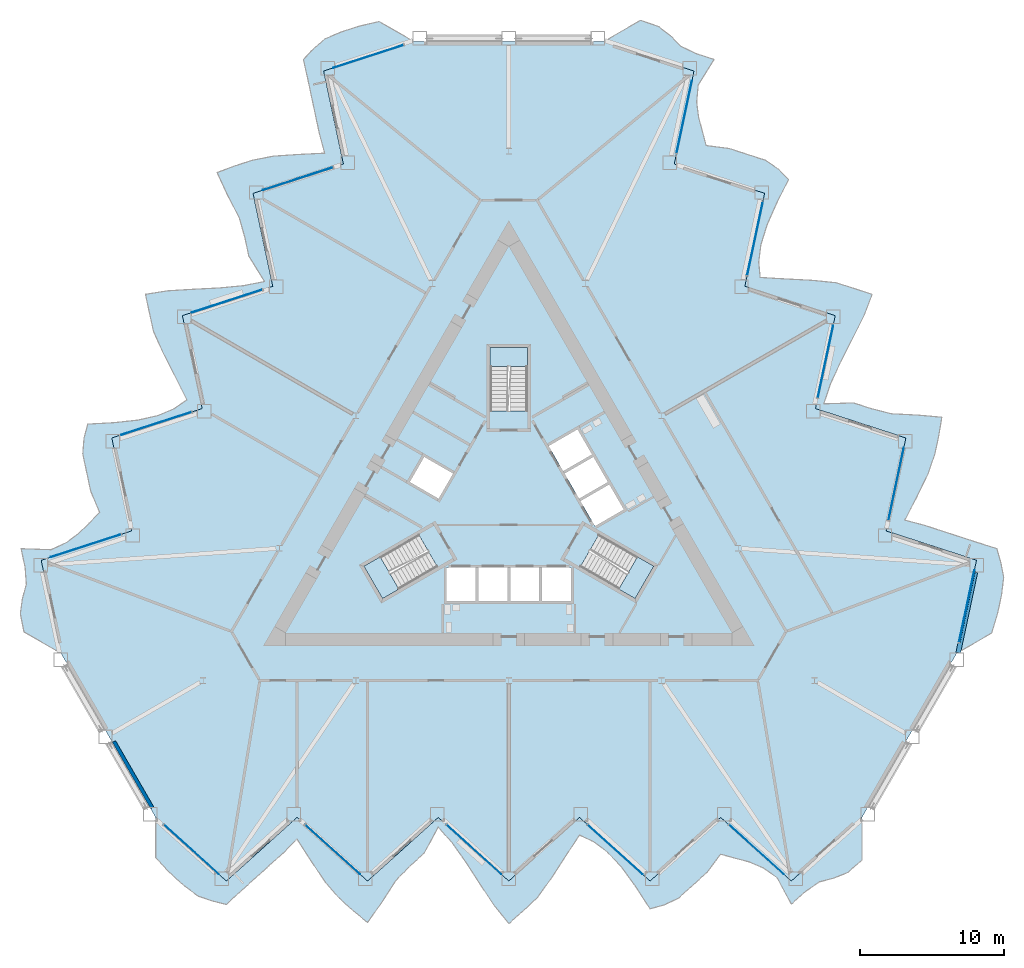
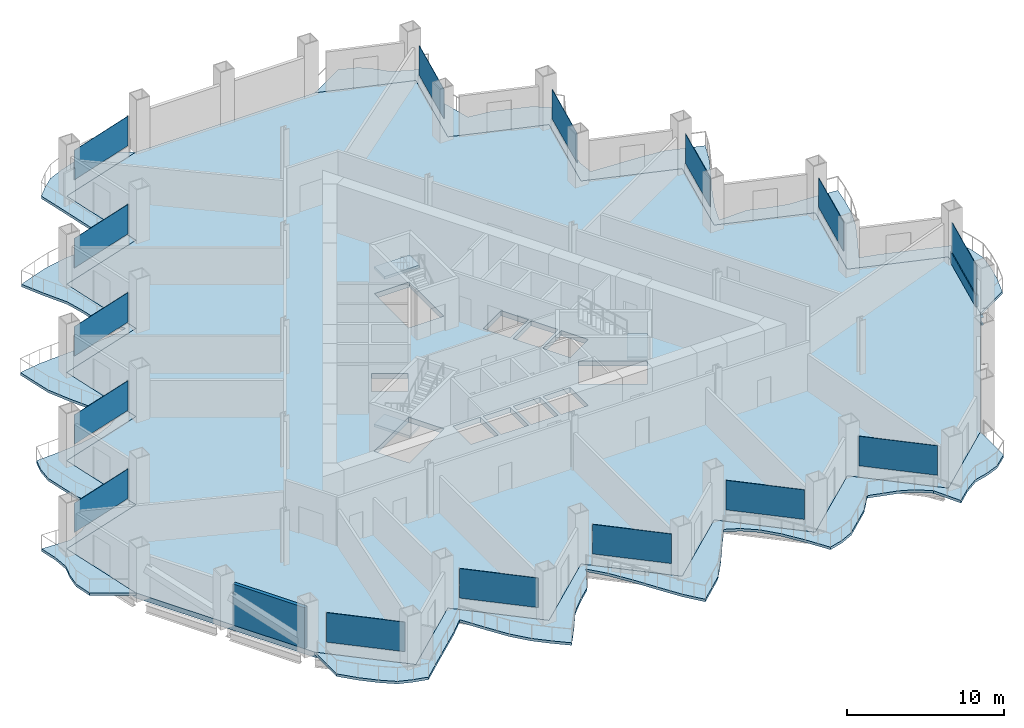
# One storey, part 8 of 20: 15 plates, 7 slabs, 1 beam, 1 member, 1 wall, 18 elements without a shape of their own.
"""IFC4 building model written with IfcOpenShell, lengths in metres."""

from ifc_helpers import new_model, si_unit, direction, frame, frame_2d, origin, origin_2d, place, context, subcontext, project, spatial, polyline, rectangle, i_section, outline, extrude, material, layer, layer_set, material_profile, profile_set, type_object, element, aggregate, save


model = new_model("IFC4")

# Units and contexts
model_context = context("Model", 3, precision=1e-05, world=origin(), true_north=direction((0.0, 1.0)))
body_context = subcontext(model_context, "Body", "Model", "MODEL_VIEW")
ifc_project = project(units=[si_unit("LENGTHUNIT", "METRE"), si_unit("AREAUNIT", "SQUARE_METRE"), si_unit("VOLUMEUNIT", "CUBIC_METRE"), si_unit("PLANEANGLEUNIT", "RADIAN"), si_unit("MASSUNIT", "GRAM", prefix="KILO")], contexts=[model_context])

# Site, building, storey
site_placement = place(None, origin())
site = spatial("IfcSite", under=ifc_project, at=site_placement, CompositionType="ELEMENT")
building_placement = place(site_placement, origin())
building = spatial("IfcBuilding", under=site, at=building_placement, Name="Cormorant Prow Tower", CompositionType="ELEMENT")
storey_placement = place(building_placement, frame((0.0, 0.0, 55.199951171875)))
storey = spatial("IfcBuildingStorey", under=building, at=storey_placement, Name="L11", CompositionType="ELEMENT", Elevation=55.199951171875)

# Curtain wall, member
ifc_material_1 = material(Name="Aluminium 6063-T6", Category="aluminium")
ifc_layer_1 = layer(ifc_material_1, 0.199951171875)
ifc_layer_set_1 = layer_set([ifc_layer_1], Name="Aluminium 6063-T6")
curtain_wall_type = type_object("IfcCurtainWallType", Name="Office unitised curtain wall 200", PredefinedType="NOTDEFINED", material=ifc_layer_set_1)
curtain_wall_1_placement = place(storey_placement, origin())
curtain_wall_1 = element("IfcCurtainWall", 1, at=curtain_wall_1_placement, inside=storey, type_object=curtain_wall_type, Name="Office curtain wall ENE00", PredefinedType="NOTDEFINED")
ifc_material_2 = material(Name="Terracotta", Category="masonry")
ifc_material_profile_1 = material_profile(ifc_material_2, rectangle(XDim=0.159912109375, YDim=0.89990234375, at=origin_2d()), Name="Office terracotta spandrel rail 160x900")
ifc_profile_set_1 = profile_set([ifc_material_profile_1], Name="Terracotta")
member_type = type_object("IfcMemberType", Name="Office terracotta spandrel rail 160x900", PredefinedType="USERDEFINED", material=ifc_profile_set_1)
member_placement = place(storey_placement, frame((31.15869140625, -9.575439453125, 0.449951171875), z_axis=(0.20787817929, 0.978154723229, 0.0), x_axis=(-0.978154723229, 0.20787817929, 0.0)))
member = element("IfcMember", 2, at=member_placement, type_object=member_type, Name="Office spandrel rail ENE00", ObjectType="TRANSOM", PredefinedType="USERDEFINED", context=body_context, shape_type="SweptSolid", body=[
    extrude(rectangle(XDim=0.159912109375, YDim=0.89990234375, at=origin_2d()), origin(), (0.0, 0.0, 1.0), 5.111083984375),
])

# Beam
ifc_material_3 = material(Name="Structural steel ASTM A992 Gr 50", Category="steel")
ifc_material_profile_2 = material_profile(ifc_material_3, i_section(OverallWidth=0.32373046875, OverallDepth=0.611083984375, WebThickness=0.0126953125, FlangeThickness=0.01904296875, at=origin_2d()), Name="W24x104")
ifc_profile_set_2 = profile_set([ifc_material_profile_2], Name="Structural steel ASTM A992 Gr 50")
beam_type = type_object("IfcBeamType", Name="Spandrel beam W24x104", PredefinedType="SPANDREL", material=ifc_profile_set_2)
beam_placement = place(storey_placement, frame((31.10400390625, -10.28466796875, -0.70556640625), z_axis=(0.207900376723, 0.97815000555, 0.0), x_axis=(-0.97815000555, 0.207900376723, 0.0)))
element("IfcBeam", 3, at=beam_placement, inside=storey, type_object=beam_type, Name="Spandrel beam SB1 ENE00-ENE01 L11", PredefinedType="SPANDREL", context=body_context, shape_type="SweptSolid", body=[
    extrude(i_section(OverallWidth=0.32373046875, OverallDepth=0.611083984375, WebThickness=0.0126953125, FlangeThickness=0.01904296875, at=origin_2d()), origin(), (0.0, 0.0, 1.0), 5.6826171875),
])

# Slabs
ifc_material_4 = material(Name="Concrete C40/50", Category="concrete")
ifc_layer_2 = layer(ifc_material_4, 0.199951171875)
ifc_layer_set_2 = layer_set([ifc_layer_2], Name="Concrete C40/50")
slab_type_1 = type_object("IfcSlabType", Name="Balcony slab 200", PredefinedType="FLOOR", material=ifc_layer_set_2)
slab_1_placement = place(storey_placement, frame((0.0, 0.0, -0.199951171875)))
element("IfcSlab", 4, at=slab_1_placement, inside=storey, type_object=slab_type_1, Name="Balcony slab S L11", PredefinedType="FLOOR", context=body_context, shape_type="SweptSolid", body=[
    extrude(outline(polyline([(-24.43896484375, -21.68603515625), (-24.43896484375, -24.4697265625), (-23.461181640625, -25.51611328125), (-22.483642578125, -26.396240234375), (-21.506103515625, -27.12890625), (-20.528564453125, -27.464111328125), (-19.551025390625, -27.7060546875), (-18.573486328125, -26.806640625), (-17.595947265625, -25.926513671875), (-16.618408203125, -25.04638671875), (-15.640869140625, -24.166015625), (-14.663330078125, -23.178466796875), (-13.685791015625, -24.6953125), (-12.708251953125, -26.152587890625), (-11.730712890625, -27.276611328125), (-10.753173828125, -28.15673828125), (-9.775634765625, -28.958984375), (-8.798095703125, -27.563720703125), (-7.8203125, -26.04931640625), (-6.8427734375, -25.04638671875), (-5.865234375, -24.166015625), (-4.8876953125, -22.34521484375), (-3.91015625, -23.4619140625), (-2.9326171875, -24.840576171875), (-1.955078125, -26.351318359375), (-0.9775390625, -27.82958984375), (0.0, -29.036865234375), (0.9775390625, -28.15673828125), (1.955078125, -27.26123046875), (2.9326171875, -25.899658203125), (3.91015625, -24.393798828125), (4.8876953125, -22.90673828125), (5.865234375, -23.357177734375), (6.8427734375, -24.09716796875), (7.8203125, -25.1630859375), (8.798095703125, -26.506591796875), (9.775634765625, -28.006591796875), (10.753173828125, -27.740966796875), (11.730712890625, -27.276611328125), (12.708251953125, -26.396240234375), (13.685791015625, -25.51611328125), (14.663330078125, -24.23193359375), (15.640869140625, -24.499267578125), (16.618408203125, -24.758056640625), (17.595947265625, -25.170166015625), (18.573486328125, -25.858154296875), (19.551025390625, -27.68701171875), (20.528564453125, -26.806640625), (21.506103515625, -26.140869140625), (22.483642578125, -25.8876953125), (23.461181640625, -25.493408203125), (24.43896484375, -24.635986328125), (24.43896484375, -21.68603515625), (23.461181640625, -22.566162109375), (22.483642578125, -23.4462890625), (21.506103515625, -24.326416015625), (20.528564453125, -25.206787109375), (19.551025390625, -26.0869140625), (18.573486328125, -25.206787109375), (17.595947265625, -24.326416015625), (16.618408203125, -23.4462890625), (15.640869140625, -22.566162109375), (14.663330078125, -21.68603515625), (13.685791015625, -22.566162109375), (12.708251953125, -23.4462890625), (11.730712890625, -24.326416015625), (10.753173828125, -25.206787109375), (9.775634765625, -26.0869140625), (8.798095703125, -25.206787109375), (7.8203125, -24.326416015625), (6.8427734375, -23.4462890625), (5.865234375, -22.566162109375), (4.8876953125, -21.68603515625), (3.91015625, -22.566162109375), (2.9326171875, -23.4462890625), (1.955078125, -24.326416015625), (0.9775390625, -25.206787109375), (0.0, -26.0869140625), (-0.9775390625, -25.206787109375), (-1.955078125, -24.326416015625), (-2.9326171875, -23.4462890625), (-3.91015625, -22.566162109375), (-4.8876953125, -21.68603515625), (-5.865234375, -22.566162109375), (-6.8427734375, -23.4462890625), (-7.8203125, -24.326416015625), (-8.798095703125, -25.206787109375), (-9.775634765625, -26.0869140625), (-10.753173828125, -25.206787109375), (-11.730712890625, -24.326416015625), (-12.708251953125, -23.4462890625), (-13.685791015625, -22.566162109375), (-14.663330078125, -21.68603515625), (-15.640869140625, -22.566162109375), (-16.618408203125, -23.4462890625), (-17.595947265625, -24.326416015625), (-18.573486328125, -25.206787109375), (-19.551025390625, -26.0869140625), (-20.528564453125, -25.206787109375), (-21.506103515625, -24.326416015625), (-22.483642578125, -23.4462890625), (-23.461181640625, -22.566162109375), (-24.43896484375, -21.68603515625)])), origin(), (0.0, 0.0, 1.0), 0.199951171875),
])
slab_2_placement = place(storey_placement, frame((0.0, 0.0, -0.199951171875)))
element("IfcSlab", 5, at=slab_2_placement, inside=storey, type_object=slab_type_1, Name="Balcony slab ENE L11", PredefinedType="FLOOR", context=body_context, shape_type="SweptSolid", body=[
    extrude(outline(polyline([(31.0, -10.32177734375), (33.410888671875, -8.9296875), (33.828369140625, -7.56005859375), (34.101806640625, -6.2734375), (34.247314453125, -5.060546875), (34.048828125, -4.04638671875), (33.769775390625, -3.07861328125), (32.501953125, -2.681884765625), (31.2509765625, -2.275390625), (30.0, -1.868896484375), (28.7490234375, -1.46240234375), (27.40478515625, -1.109619140625), (28.229736328125, 0.49560546875), (29.0029296875, 2.070556640625), (29.487548828125, 3.479248046875), (29.760986328125, 4.765869140625), (29.967041015625, 6.013671875), (28.269775390625, 6.16259765625), (26.469482421875, 6.251953125), (25.1123046875, 6.59716796875), (23.861083984375, 7.003662109375), (21.79541015625, 6.939697265625), (22.273681640625, 8.344482421875), (22.97900390625, 9.880615234375), (23.798583984375, 11.482421875), (24.58984375, 13.068115234375), (25.146728515625, 14.5185546875), (23.895751953125, 14.925048828125), (22.63134765625, 15.32373046875), (20.963623046875, 15.48974609375), (19.170654296875, 15.583251953125), (17.393798828125, 15.686279296875), (17.29541015625, 16.758056640625), (17.447265625, 17.974609375), (17.881591796875, 19.354248046875), (18.556396484375, 20.87255859375), (19.36669921875, 22.46923828125), (18.64794921875, 23.18310546875), (17.7568359375, 23.79736328125), (16.505859375, 24.203857421875), (15.254638671875, 24.6103515625), (13.65380859375, 24.814697265625), (13.396484375, 25.794921875), (13.1318359375, 26.77099609375), (13.0, 27.82373046875), (13.10693359375, 29.01416015625), (14.201904296875, 30.775146484375), (12.950927734375, 31.181640625), (11.885498046875, 31.6953125), (11.177490234375, 32.415283203125), (10.34716796875, 33.064697265625), (9.115966796875, 33.482666015625), (6.56103515625, 32.007568359375), (7.812255859375, 31.60107421875), (9.063232421875, 31.194580078125), (10.314208984375, 30.7880859375), (11.5654296875, 30.381591796875), (12.81640625, 29.97509765625), (12.54296875, 28.6884765625), (12.269287109375, 27.40185546875), (11.995849609375, 26.115234375), (11.722412109375, 24.828369140625), (11.448974609375, 23.541748046875), (12.699951171875, 23.13525390625), (13.950927734375, 22.728759765625), (15.2021484375, 22.322265625), (16.453125, 21.915771484375), (17.7041015625, 21.50927734375), (17.4306640625, 20.22265625), (17.1572265625, 18.93603515625), (16.8837890625, 17.649169921875), (16.610107421875, 16.362548828125), (16.336669921875, 15.075927734375), (17.587646484375, 14.66943359375), (18.8388671875, 14.262939453125), (20.08984375, 13.8564453125), (21.3408203125, 13.449951171875), (22.592041015625, 13.04345703125), (22.318359375, 11.7568359375), (22.044921875, 10.469970703125), (21.771484375, 9.183349609375), (21.498046875, 7.896728515625), (21.224365234375, 6.610107421875), (22.4755859375, 6.20361328125), (23.7265625, 5.797119140625), (24.9775390625, 5.390625), (26.228759765625, 4.984130859375), (27.479736328125, 4.57763671875), (27.206298828125, 3.291015625), (26.9326171875, 2.004150390625), (26.6591796875, 0.717529296875), (26.3857421875, -0.569091796875), (26.1123046875, -1.855712890625), (27.36328125, -2.26220703125), (28.6142578125, -2.668701171875), (29.865478515625, -3.0751953125), (31.116455078125, -3.481689453125), (32.367431640625, -3.88818359375), (32.093994140625, -5.175048828125), (31.820556640625, -6.461669921875), (31.546875, -7.748291015625), (31.2734375, -9.034912109375), (31.0, -10.32177734375)])), origin(), (0.0, 0.0, 1.0), 0.199951171875),
])
slab_3_placement = place(storey_placement, frame((0.0, 0.0, -0.199951171875)))
element("IfcSlab", 6, at=slab_3_placement, inside=storey, type_object=slab_type_1, Name="Balcony slab WNW L11", PredefinedType="FLOOR", context=body_context, shape_type="SweptSolid", body=[
    extrude(outline(polyline([(-6.56103515625, 32.007568359375), (-8.97216796875, 33.399658203125), (-10.366943359375, 33.076171875), (-11.617919921875, 32.669677734375), (-12.7412109375, 32.189453125), (-13.520263671875, 31.51025390625), (-14.218505859375, 30.78466796875), (-13.928466796875, 29.488525390625), (-13.655029296875, 28.201904296875), (-13.381591796875, 26.9150390625), (-13.108154296875, 25.62841796875), (-12.741455078125, 24.2880859375), (-14.5439453125, 24.199951171875), (-16.294677734375, 24.08203125), (-17.7568359375, 23.79736328125), (-19.0078125, 23.390869140625), (-20.19140625, 22.9453125), (-19.471923828125, 21.401123046875), (-18.649169921875, 19.79736328125), (-18.269287109375, 18.44921875), (-17.995849609375, 17.16259765625), (-16.907470703125, 15.405517578125), (-18.363525390625, 15.1171875), (-20.04638671875, 14.9599609375), (-21.843505859375, 14.868896484375), (-23.6123046875, 14.761474609375), (-25.146728515625, 14.5185546875), (-24.873291015625, 13.231689453125), (-24.58642578125, 11.9375), (-23.896240234375, 10.41015625), (-23.080810546875, 8.810546875), (-22.28173828125, 7.220458984375), (-23.16064453125, 6.59912109375), (-24.290283203125, 6.12255859375), (-25.7021484375, 5.808837890625), (-27.354248046875, 5.634033203125), (-29.14208984375, 5.537353515625), (-29.401123046875, 4.55810546875), (-29.487548828125, 3.479248046875), (-29.2138671875, 2.192626953125), (-28.9404296875, 0.90576171875), (-28.317138671875, -0.582763671875), (-29.037353515625, -1.2958984375), (-29.750244140625, -2.012939453125), (-30.595947265625, -2.653564453125), (-31.6806640625, -3.156005859375), (-33.753173828125, -3.08837890625), (-33.4794921875, -4.375), (-33.3916015625, -5.554443359375), (-33.661376953125, -6.527587890625), (-33.80859375, -7.571533203125), (-33.5546875, -8.8466796875), (-31.0, -10.32177734375), (-31.2734375, -9.034912109375), (-31.546875, -7.748291015625), (-31.820556640625, -6.461669921875), (-32.093994140625, -5.175048828125), (-32.367431640625, -3.88818359375), (-31.116455078125, -3.481689453125), (-29.865478515625, -3.0751953125), (-28.6142578125, -2.668701171875), (-27.36328125, -2.26220703125), (-26.1123046875, -1.855712890625), (-26.3857421875, -0.569091796875), (-26.6591796875, 0.717529296875), (-26.9326171875, 2.004150390625), (-27.206298828125, 3.291015625), (-27.479736328125, 4.57763671875), (-26.228759765625, 4.984130859375), (-24.9775390625, 5.390625), (-23.7265625, 5.797119140625), (-22.4755859375, 6.20361328125), (-21.224365234375, 6.610107421875), (-21.498046875, 7.896728515625), (-21.771484375, 9.183349609375), (-22.044921875, 10.469970703125), (-22.318359375, 11.7568359375), (-22.592041015625, 13.04345703125), (-21.3408203125, 13.449951171875), (-20.08984375, 13.8564453125), (-18.8388671875, 14.262939453125), (-17.587646484375, 14.66943359375), (-16.336669921875, 15.075927734375), (-16.610107421875, 16.362548828125), (-16.8837890625, 17.649169921875), (-17.1572265625, 18.93603515625), (-17.4306640625, 20.22265625), (-17.7041015625, 21.50927734375), (-16.453125, 21.915771484375), (-15.2021484375, 22.322265625), (-13.950927734375, 22.728759765625), (-12.699951171875, 23.13525390625), (-11.448974609375, 23.541748046875), (-11.722412109375, 24.828369140625), (-11.995849609375, 26.115234375), (-12.269287109375, 27.40185546875), (-12.54296875, 28.6884765625), (-12.81640625, 29.97509765625), (-11.5654296875, 30.381591796875), (-10.314208984375, 30.7880859375), (-9.063232421875, 31.194580078125), (-7.812255859375, 31.60107421875), (-6.56103515625, 32.007568359375)])), origin(), (0.0, 0.0, 1.0), 0.199951171875),
])

# Curtain wall, plate
curtain_wall_2_placement = place(storey_placement, origin())
curtain_wall_2 = element("IfcCurtainWall", 7, at=curtain_wall_2_placement, inside=storey, type_object=curtain_wall_type, Name="Office curtain wall S00", PredefinedType="NOTDEFINED")
ifc_material_5 = material(Name="Clear glass", Category="glass")
ifc_layer_3 = layer(ifc_material_5, 0.031982421875)
ifc_layer_set_3 = layer_set([ifc_layer_3], Name="Clear glass")
plate_type = type_object("IfcPlateType", Name="Office glass panel 32", PredefinedType="CURTAIN_PANEL", material=ifc_layer_set_3)
plate_1_placement = place(storey_placement, frame((-21.97265625, -23.906494140625, 0.89990234375), z_axis=(0.0, 0.0, 1.0), x_axis=(0.743144808544, -0.669130625166, 0.0)))
plate_1 = element("IfcPlate", 8, at=plate_1_placement, type_object=plate_type, Name="Office glass panel S00", PredefinedType="CURTAIN_PANEL", context=body_context, shape_type="SweptSolid", body=[
    extrude(rectangle(XDim=5.111083984375, YDim=0.031982421875, at=origin_2d()), origin(), (0.0, 0.0, 1.0), 2.288818359375),
])
aggregate(curtain_wall_2, [plate_1])

curtain_wall_3_placement = place(storey_placement, origin())
curtain_wall_3 = element("IfcCurtainWall", 9, at=curtain_wall_3_placement, inside=storey, type_object=curtain_wall_type, Name="Office curtain wall S02", PredefinedType="NOTDEFINED")
plate_2_placement = place(storey_placement, frame((-12.197021484375, -23.906494140625, 0.89990234375), z_axis=(0.0, 0.0, 1.0), x_axis=(0.743144808544, -0.669130625166, 0.0)))
plate_2 = element("IfcPlate", 10, at=plate_2_placement, type_object=plate_type, Name="Office glass panel S02", PredefinedType="CURTAIN_PANEL", context=body_context, shape_type="SweptSolid", body=[
    extrude(rectangle(XDim=5.111083984375, YDim=0.031982421875, at=origin_2d()), origin(), (0.0, 0.0, 1.0), 2.288818359375),
])
aggregate(curtain_wall_3, [plate_2])

curtain_wall_4_placement = place(storey_placement, origin())
curtain_wall_4 = element("IfcCurtainWall", 11, at=curtain_wall_4_placement, inside=storey, type_object=curtain_wall_type, Name="Office curtain wall S04", PredefinedType="NOTDEFINED")
plate_3_placement = place(storey_placement, frame((-2.421630859375, -23.906494140625, 0.89990234375), z_axis=(0.0, 0.0, 1.0), x_axis=(0.743144808544, -0.669130625166, 0.0)))
plate_3 = element("IfcPlate", 12, at=plate_3_placement, type_object=plate_type, Name="Office glass panel S04", PredefinedType="CURTAIN_PANEL", context=body_context, shape_type="SweptSolid", body=[
    extrude(rectangle(XDim=5.111083984375, YDim=0.031982421875, at=origin_2d()), origin(), (0.0, 0.0, 1.0), 2.288818359375),
])
aggregate(curtain_wall_4, [plate_3])

curtain_wall_5_placement = place(storey_placement, origin())
curtain_wall_5 = element("IfcCurtainWall", 13, at=curtain_wall_5_placement, inside=storey, type_object=curtain_wall_type, Name="Office curtain wall S06", PredefinedType="NOTDEFINED")
plate_4_placement = place(storey_placement, frame((7.35400390625, -23.906494140625, 0.89990234375), z_axis=(0.0, 0.0, 1.0), x_axis=(0.743144808544, -0.669130625166, 0.0)))
plate_4 = element("IfcPlate", 14, at=plate_4_placement, type_object=plate_type, Name="Office glass panel S06", PredefinedType="CURTAIN_PANEL", context=body_context, shape_type="SweptSolid", body=[
    extrude(rectangle(XDim=5.111083984375, YDim=0.031982421875, at=origin_2d()), origin(), (0.0, 0.0, 1.0), 2.288818359375),
])
aggregate(curtain_wall_5, [plate_4])

curtain_wall_6_placement = place(storey_placement, origin())
curtain_wall_6 = element("IfcCurtainWall", 15, at=curtain_wall_6_placement, inside=storey, type_object=curtain_wall_type, Name="Office curtain wall S08", PredefinedType="NOTDEFINED")
plate_5_placement = place(storey_placement, frame((17.12939453125, -23.906494140625, 0.89990234375), z_axis=(0.0, 0.0, 1.0), x_axis=(0.743144808544, -0.669130625166, 0.0)))
plate_5 = element("IfcPlate", 16, at=plate_5_placement, type_object=plate_type, Name="Office glass panel S08", PredefinedType="CURTAIN_PANEL", context=body_context, shape_type="SweptSolid", body=[
    extrude(rectangle(XDim=5.111083984375, YDim=0.031982421875, at=origin_2d()), origin(), (0.0, 0.0, 1.0), 2.288818359375),
])
aggregate(curtain_wall_6, [plate_5])

# Plate
plate_6_placement = place(storey_placement, frame((31.68994140625, -7.07568359375, 0.89990234375), z_axis=(0.0, 0.0, 1.0), x_axis=(0.207911660293, 0.978147607222, 0.0)))
plate_6 = element("IfcPlate", 17, at=plate_6_placement, type_object=plate_type, Name="Office glass panel ENE00", PredefinedType="CURTAIN_PANEL", context=body_context, shape_type="SweptSolid", body=[
    extrude(rectangle(XDim=5.111083984375, YDim=0.031982421875, at=origin_2d()), origin(), (0.0, 0.0, 1.0), 2.288818359375),
])

aggregate(curtain_wall_1, [member, plate_6])

# Curtain wall, plate
curtain_wall_7_placement = place(storey_placement, origin())
curtain_wall_7 = element("IfcCurtainWall", 18, at=curtain_wall_7_placement, inside=storey, type_object=curtain_wall_type, Name="Office curtain wall ENE02", PredefinedType="NOTDEFINED")
plate_7_placement = place(storey_placement, frame((26.80224609375, 1.39013671875, 0.89990234375), z_axis=(0.0, 0.0, 1.0), x_axis=(0.207911629376, 0.978147613794, 0.0)))
plate_7 = element("IfcPlate", 19, at=plate_7_placement, type_object=plate_type, Name="Office glass panel ENE02", PredefinedType="CURTAIN_PANEL", context=body_context, shape_type="SweptSolid", body=[
    extrude(rectangle(XDim=5.111083984375, YDim=0.031982421875, at=origin_2d()), origin(), (0.0, 0.0, 1.0), 2.288818359375),
])
aggregate(curtain_wall_7, [plate_7])

curtain_wall_8_placement = place(storey_placement, origin())
curtain_wall_8 = element("IfcCurtainWall", 20, at=curtain_wall_8_placement, inside=storey, type_object=curtain_wall_type, Name="Office curtain wall ENE04", PredefinedType="NOTDEFINED")
plate_8_placement = place(storey_placement, frame((21.914306640625, 9.856201171875, 0.89990234375), z_axis=(0.0, 0.0, 1.0), x_axis=(0.207911660293, 0.978147607222, 0.0)))
plate_8 = element("IfcPlate", 21, at=plate_8_placement, type_object=plate_type, Name="Office glass panel ENE04", PredefinedType="CURTAIN_PANEL", context=body_context, shape_type="SweptSolid", body=[
    extrude(rectangle(XDim=5.111083984375, YDim=0.031982421875, at=origin_2d()), origin(), (0.0, 0.0, 1.0), 2.288818359375),
])
aggregate(curtain_wall_8, [plate_8])

curtain_wall_9_placement = place(storey_placement, origin())
curtain_wall_9 = element("IfcCurtainWall", 22, at=curtain_wall_9_placement, inside=storey, type_object=curtain_wall_type, Name="Office curtain wall ENE06", PredefinedType="NOTDEFINED")
plate_9_placement = place(storey_placement, frame((17.026611328125, 18.322021484375, 0.89990234375), z_axis=(0.0, 0.0, 1.0), x_axis=(0.207911805763, 0.978147576301, 0.0)))
plate_9 = element("IfcPlate", 23, at=plate_9_placement, type_object=plate_type, Name="Office glass panel ENE06", PredefinedType="CURTAIN_PANEL", context=body_context, shape_type="SweptSolid", body=[
    extrude(rectangle(XDim=5.111083984375, YDim=0.031982421875, at=origin_2d()), origin(), (0.0, 0.0, 1.0), 2.288818359375),
])
aggregate(curtain_wall_9, [plate_9])

curtain_wall_10_placement = place(storey_placement, origin())
curtain_wall_10 = element("IfcCurtainWall", 24, at=curtain_wall_10_placement, inside=storey, type_object=curtain_wall_type, Name="Office curtain wall ENE08", PredefinedType="NOTDEFINED")
plate_10_placement = place(storey_placement, frame((12.138916015625, 26.787841796875, 0.89990234375), z_axis=(0.0, 0.0, 1.0), x_axis=(0.207911805763, 0.978147576301, 0.0)))
plate_10 = element("IfcPlate", 25, at=plate_10_placement, type_object=plate_type, Name="Office glass panel ENE08", PredefinedType="CURTAIN_PANEL", context=body_context, shape_type="SweptSolid", body=[
    extrude(rectangle(XDim=5.111083984375, YDim=0.031982421875, at=origin_2d()), origin(), (0.0, 0.0, 1.0), 2.288818359375),
])
aggregate(curtain_wall_10, [plate_10])

curtain_wall_11_placement = place(storey_placement, origin())
curtain_wall_11 = element("IfcCurtainWall", 26, at=curtain_wall_11_placement, inside=storey, type_object=curtain_wall_type, Name="Office curtain wall WNW00", PredefinedType="NOTDEFINED")
plate_11_placement = place(storey_placement, frame((-9.71728515625, 30.982177734375, 0.89990234375), z_axis=(0.0, 0.0, 1.0), x_axis=(-0.951056488633, -0.309017079512, 0.0)))
plate_11 = element("IfcPlate", 27, at=plate_11_placement, type_object=plate_type, Name="Office glass panel WNW00", PredefinedType="CURTAIN_PANEL", context=body_context, shape_type="SweptSolid", body=[
    extrude(rectangle(XDim=5.111083984375, YDim=0.031982421875, at=origin_2d()), origin(), (0.0, 0.0, 1.0), 2.288818359375),
])
aggregate(curtain_wall_11, [plate_11])

curtain_wall_12_placement = place(storey_placement, origin())
curtain_wall_12 = element("IfcCurtainWall", 28, at=curtain_wall_12_placement, inside=storey, type_object=curtain_wall_type, Name="Office curtain wall WNW02", PredefinedType="NOTDEFINED")
plate_12_placement = place(storey_placement, frame((-14.60498046875, 22.516357421875, 0.89990234375), z_axis=(0.0, 0.0, 1.0), x_axis=(-0.951056547836, -0.309016897304, 0.0)))
plate_12 = element("IfcPlate", 29, at=plate_12_placement, type_object=plate_type, Name="Office glass panel WNW02", PredefinedType="CURTAIN_PANEL", context=body_context, shape_type="SweptSolid", body=[
    extrude(rectangle(XDim=5.111083984375, YDim=0.031982421875, at=origin_2d()), origin(), (0.0, 0.0, 1.0), 2.288818359375),
])
aggregate(curtain_wall_12, [plate_12])

curtain_wall_13_placement = place(storey_placement, origin())
curtain_wall_13 = element("IfcCurtainWall", 30, at=curtain_wall_13_placement, inside=storey, type_object=curtain_wall_type, Name="Office curtain wall WNW04", PredefinedType="NOTDEFINED")
plate_13_placement = place(storey_placement, frame((-19.492919921875, 14.05029296875, 0.89990234375), z_axis=(0.0, 0.0, 1.0), x_axis=(-0.951056488633, -0.309017079512, 0.0)))
plate_13 = element("IfcPlate", 31, at=plate_13_placement, type_object=plate_type, Name="Office glass panel WNW04", PredefinedType="CURTAIN_PANEL", context=body_context, shape_type="SweptSolid", body=[
    extrude(rectangle(XDim=5.111083984375, YDim=0.031982421875, at=origin_2d()), origin(), (0.0, 0.0, 1.0), 2.288818359375),
])
aggregate(curtain_wall_13, [plate_13])

curtain_wall_14_placement = place(storey_placement, origin())
curtain_wall_14 = element("IfcCurtainWall", 32, at=curtain_wall_14_placement, inside=storey, type_object=curtain_wall_type, Name="Office curtain wall WNW06", PredefinedType="NOTDEFINED")
plate_14_placement = place(storey_placement, frame((-24.380615234375, 5.58447265625, 0.89990234375), z_axis=(0.0, 0.0, 1.0), x_axis=(-0.951056533317, -0.309016941988, 0.0)))
plate_14 = element("IfcPlate", 33, at=plate_14_placement, type_object=plate_type, Name="Office glass panel WNW06", PredefinedType="CURTAIN_PANEL", context=body_context, shape_type="SweptSolid", body=[
    extrude(rectangle(XDim=5.111083984375, YDim=0.031982421875, at=origin_2d()), origin(), (0.0, 0.0, 1.0), 2.288818359375),
])
aggregate(curtain_wall_14, [plate_14])

curtain_wall_15_placement = place(storey_placement, origin())
curtain_wall_15 = element("IfcCurtainWall", 34, at=curtain_wall_15_placement, inside=storey, type_object=curtain_wall_type, Name="Office curtain wall WNW08", PredefinedType="NOTDEFINED")
plate_15_placement = place(storey_placement, frame((-29.268310546875, -2.88134765625, 0.89990234375), z_axis=(0.0, 0.0, 1.0), x_axis=(-0.951056533317, -0.309016941988, 0.0)))
plate_15 = element("IfcPlate", 35, at=plate_15_placement, type_object=plate_type, Name="Office glass panel WNW08", PredefinedType="CURTAIN_PANEL", context=body_context, shape_type="SweptSolid", body=[
    extrude(rectangle(XDim=5.111083984375, YDim=0.031982421875, at=origin_2d()), origin(), (0.0, 0.0, 1.0), 2.288818359375),
])
aggregate(curtain_wall_15, [plate_15])

# Slab
ifc_material_6 = material(Name="Concrete C40/50", Category="concrete")
ifc_layer_4 = layer(ifc_material_6, 0.39990234375)
ifc_layer_set_4 = layer_set([ifc_layer_4], Name="Concrete C40/50")
slab_type_2 = type_object("IfcSlabType", Name="Post-tensioned flat slab 400", PredefinedType="FLOOR", material=ifc_layer_set_4)
slab_4_placement = place(storey_placement, frame((0.0, 0.0, -0.39990234375)))
element("IfcSlab", 36, at=slab_4_placement, inside=storey, type_object=slab_type_2, Name="Floor slab L11", PredefinedType="FLOOR", context=body_context, shape_type="SweptSolid", body=[
    extrude(outline(polyline([(-12.81640625, 29.97509765625), (-11.448974609375, 23.541748046875), (-17.7041015625, 21.50927734375), (-16.336669921875, 15.075927734375), (-22.592041015625, 13.04345703125), (-21.224365234375, 6.610107421875), (-27.479736328125, 4.57763671875), (-26.1123046875, -1.855712890625), (-32.367431640625, -3.88818359375), (-31.0, -10.32177734375), (-27.719482421875, -16.00390625), (-24.43896484375, -21.68603515625), (-19.551025390625, -26.0869140625), (-14.663330078125, -21.68603515625), (-9.775634765625, -26.0869140625), (-4.8876953125, -21.68603515625), (0.0, -26.0869140625), (4.8876953125, -21.68603515625), (9.775634765625, -26.0869140625), (14.663330078125, -21.68603515625), (19.551025390625, -26.0869140625), (24.43896484375, -21.68603515625), (27.719482421875, -16.00390625), (31.0, -10.32177734375), (32.367431640625, -3.88818359375), (26.1123046875, -1.855712890625), (27.479736328125, 4.57763671875), (21.224365234375, 6.610107421875), (22.592041015625, 13.04345703125), (16.336669921875, 15.075927734375), (17.7041015625, 21.50927734375), (11.448974609375, 23.541748046875), (12.81640625, 29.97509765625), (6.56103515625, 32.007568359375), (0.0, 32.007568359375), (-6.56103515625, 32.007568359375), (-12.81640625, 29.97509765625)]), holes=[polyline([(-4.300048828125, -6.699951171875), (-4.300048828125, -4.39990234375), (-2.300048828125, -4.39990234375), (-2.300048828125, -6.699951171875), (-4.300048828125, -6.699951171875)]), polyline([(-2.10009765625, -4.39990234375), (-0.10009765625, -4.39990234375), (-0.10009765625, -6.699951171875), (-2.10009765625, -6.699951171875), (-2.10009765625, -4.39990234375)]), polyline([(2.10009765625, -4.39990234375), (2.10009765625, -6.699951171875), (0.10009765625, -6.699951171875), (0.10009765625, -4.39990234375), (2.10009765625, -4.39990234375)]), polyline([(4.300048828125, -6.699951171875), (2.300048828125, -6.699951171875), (2.300048828125, -4.39990234375), (4.300048828125, -4.39990234375), (4.300048828125, -6.699951171875)]), polyline([(7.952392578125, -0.373779296875), (5.96044921875, -1.52392578125), (4.96044921875, 0.2080078125), (6.952392578125, 1.358154296875), (7.952392578125, -0.373779296875)]), polyline([(4.860595703125, 0.38134765625), (3.860595703125, 2.11328125), (5.852294921875, 3.263427734375), (6.852294921875, 1.53125), (4.860595703125, 0.38134765625)]), polyline([(2.760498046875, 4.018798828125), (4.75244140625, 5.168701171875), (5.75244140625, 3.4365234375), (3.760498046875, 2.28662109375), (2.760498046875, 4.018798828125)]), polyline([(-6.852294921875, 1.53125), (-5.852294921875, 3.263427734375), (-3.860595703125, 2.11328125), (-4.860595703125, 0.38134765625), (-6.852294921875, 1.53125)]), polyline([(-4.947509765625, -4.3505859375), (-8.738037109375, -6.5390625), (-10.031982421875, -4.2978515625), (-6.241455078125, -2.109375), (-4.947509765625, -4.3505859375)]), polyline([(10.031982421875, -4.2978515625), (8.738037109375, -6.5390625), (4.947509765625, -4.3505859375), (6.241455078125, -2.109375), (10.031982421875, -4.2978515625)]), polyline([(1.2939453125, 10.8369140625), (1.2939453125, 6.459716796875), (-1.2939453125, 6.459716796875), (-1.2939453125, 10.8369140625), (1.2939453125, 10.8369140625)])]), origin(), (0.0, 0.0, 1.0), 0.39990234375),
])

# Stair, slab
ifc_material_7 = material(Name="Exit stair 24 risers")
stair_type = type_object("IfcStairType", Name="Exit stair 24 risers", PredefinedType="HALF_TURN_STAIR", material=ifc_material_7)
stair_1_placement = place(storey_placement, origin())
stair_1 = element("IfcStair", 37, at=stair_1_placement, inside=storey, type_object=stair_type, Name="L11 Exit stair ST1", PredefinedType="HALF_TURN_STAIR")
ifc_material_8 = material(Name="Concrete 5000 psi", Category="concrete")
ifc_layer_5 = layer(ifc_material_8, 0.199951171875)
ifc_layer_set_5 = layer_set([ifc_layer_5], Name="Concrete 5000 psi")
slab_type_3 = type_object("IfcSlabType", Name="Stair landing 200", PredefinedType="LANDING", material=ifc_layer_set_5)
slab_5_placement = place(storey_placement, frame((0.0, 0.0, 1.900146484375)))
slab_5 = element("IfcSlab", 38, at=slab_5_placement, type_object=slab_type_3, Name="ST1 landing 1", PredefinedType="LANDING", context=body_context, shape_type="SweptSolid", body=[
    extrude(outline(polyline([(-8.90185546875, -3.645263671875), (-10.031982421875, -4.2978515625), (-8.738037109375, -6.5390625), (-7.60791015625, -5.886474609375), (-8.90185546875, -3.645263671875)])), origin(), (0.0, 0.0, 1.0), 0.199951171875),
])
aggregate(stair_1, [slab_5])

stair_2_placement = place(storey_placement, origin())
stair_2 = element("IfcStair", 39, at=stair_2_placement, inside=storey, type_object=stair_type, Name="L11 Exit stair ST2", PredefinedType="HALF_TURN_STAIR")
slab_6_placement = place(storey_placement, frame((0.0, 0.0, 1.900146484375)))
slab_6 = element("IfcSlab", 40, at=slab_6_placement, type_object=slab_type_3, Name="ST2 landing 1", PredefinedType="LANDING", context=body_context, shape_type="SweptSolid", body=[
    extrude(outline(polyline([(7.60791015625, -5.886474609375), (8.738037109375, -6.5390625), (10.031982421875, -4.2978515625), (8.90185546875, -3.645263671875), (7.60791015625, -5.886474609375)])), origin(), (0.0, 0.0, 1.0), 0.199951171875),
])
aggregate(stair_2, [slab_6])

stair_3_placement = place(storey_placement, origin())
stair_3 = element("IfcStair", 41, at=stair_3_placement, inside=storey, type_object=stair_type, Name="L11 Exit stair ST3", PredefinedType="HALF_TURN_STAIR")
slab_7_placement = place(storey_placement, frame((0.0, 0.0, 1.900146484375)))
slab_7 = element("IfcSlab", 42, at=slab_7_placement, type_object=slab_type_3, Name="ST3 landing 1", PredefinedType="LANDING", context=body_context, shape_type="SweptSolid", body=[
    extrude(outline(polyline([(1.2939453125, 9.53173828125), (1.2939453125, 10.8369140625), (-1.2939453125, 10.8369140625), (-1.2939453125, 9.53173828125), (1.2939453125, 9.53173828125)])), origin(), (0.0, 0.0, 1.0), 0.199951171875),
])
aggregate(stair_3, [slab_7])

# Wall
ifc_material_9 = material(Name="Terracotta", Category="masonry")
ifc_layer_6 = layer(ifc_material_9, 0.25)
ifc_layer_set_6 = layer_set([ifc_layer_6], Name="Terracotta")
wall_type = type_object("IfcWallType", Name="Terracotta bay wall 250", PredefinedType="SOLIDWALL", material=ifc_layer_set_6)
wall_placement = place(storey_placement, frame((-27.32861328125, -16.430908203125, 0.0), z_axis=(0.0, 0.0, 1.0), x_axis=(0.500008603535, -0.866020436474, 0.0)))
element("IfcWall", 43, at=wall_placement, inside=storey, type_object=wall_type, Name="Terracotta bay wall WSW01", PredefinedType="SOLIDWALL", context=body_context, shape_type="SweptSolid", body=[
    extrude(rectangle(XDim=5.29296875, YDim=0.25, at=frame_2d((2.646484375, 0.0))), origin(), (0.0, 0.0, 1.0), 3.18896484375),
])

save(model, "model.ifc")
